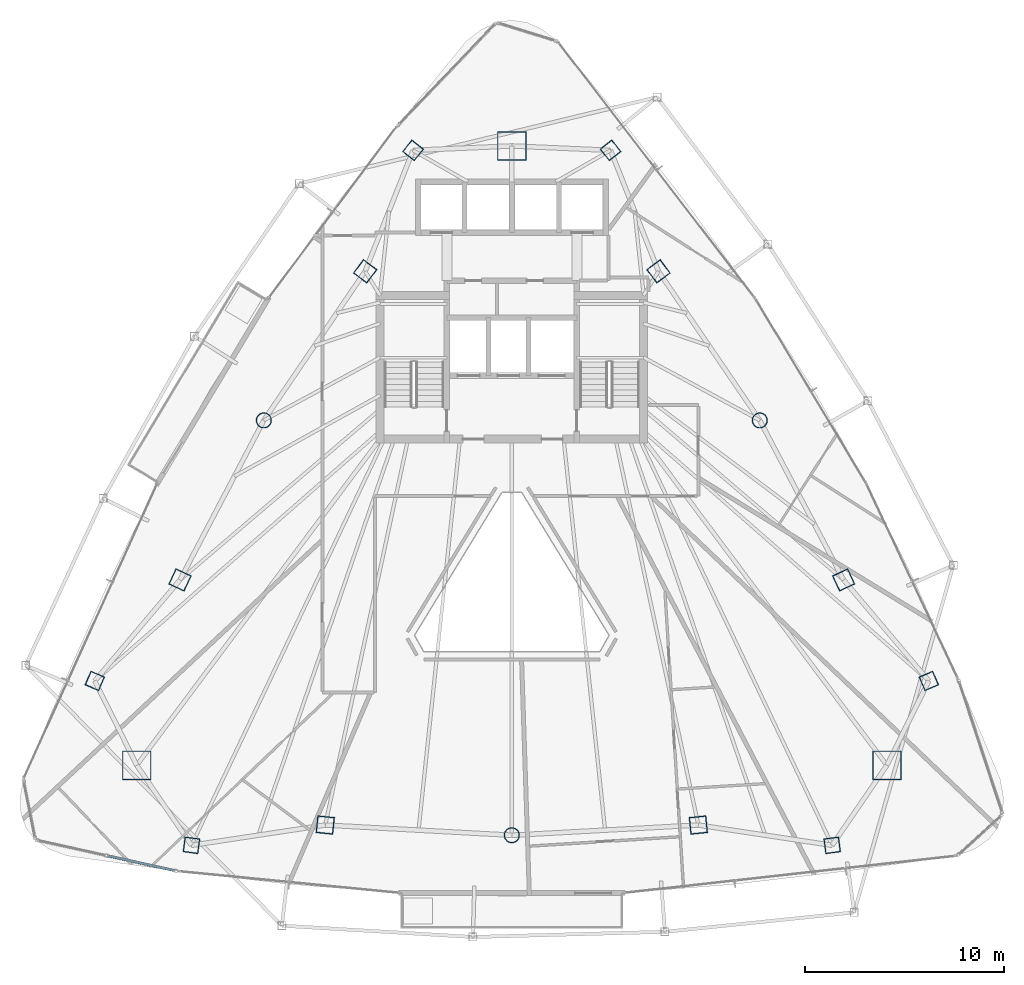
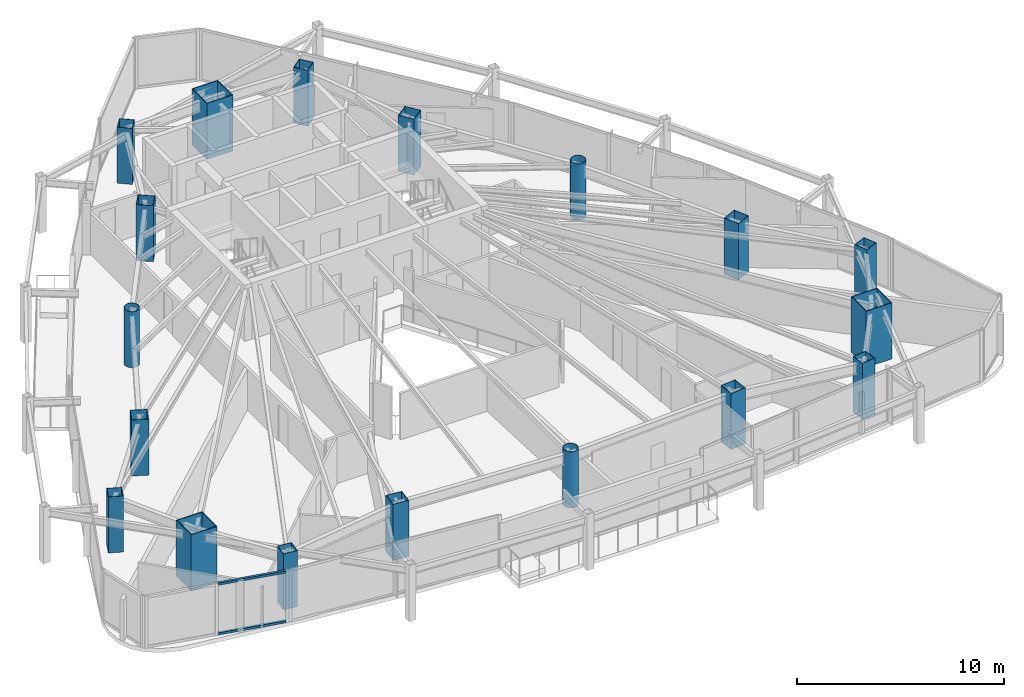
# One storey, part 1 of 29: 18 columns, 2 members, 1 element without a shape of its own.
"""IFC4 building model written with IfcOpenShell, lengths in metres."""

from ifc_helpers import new_model, si_unit, direction, frame, origin, origin_2d, place, context, subcontext, project, spatial, hollow_rectangle, hollow_circle, extrude, material, layer, layer_set, material_profile, profile_set, type_object, element, aggregate, save


model = new_model("IFC4")

# Units and contexts
model_context = context("Model", 3, precision=1e-05, world=origin(), true_north=direction((0.0, 1.0)))
body_context = subcontext(model_context, "Body", "Model", "MODEL_VIEW")
ifc_project = project(units=[si_unit("LENGTHUNIT", "METRE"), si_unit("AREAUNIT", "SQUARE_METRE"), si_unit("VOLUMEUNIT", "CUBIC_METRE"), si_unit("PLANEANGLEUNIT", "RADIAN"), si_unit("MASSUNIT", "GRAM", prefix="KILO")], contexts=[model_context])

# Site, building, storey
site_placement = place(None, origin())
site = spatial("IfcSite", under=ifc_project, at=site_placement, CompositionType="ELEMENT")
building_placement = place(site_placement, origin())
building = spatial("IfcBuilding", under=site, at=building_placement, Name="Orvanel Arch Residences", CompositionType="ELEMENT")
storey_placement = place(building_placement, frame((0.0, 0.0, 173.75)))
storey = spatial("IfcBuildingStorey", under=building, at=storey_placement, Name="L49", CompositionType="ELEMENT", Elevation=173.75)

# Columns
ifc_material_1 = material(Name="Structural steel AS/NZS 1163 C450L0 (Grade 450)", Category="steel")
ifc_material_profile_1 = material_profile(ifc_material_1, hollow_circle(Radius=0.381103515625, WallThickness=0.02197265625, at=origin_2d()), Name="CHS762x22")
ifc_profile_set_1 = profile_set([ifc_material_profile_1], Name="Structural steel AS/NZS 1163 C450L0 (Grade 450)")
column_type_1 = type_object("IfcColumnType", Name="CC-762", PredefinedType="COLUMN", material=ifc_profile_set_1)
for number, where, z_axis, x_axis, name in (
    (1, (20.569091796875, 27.64111328125, 0.0), (0.0, 0.0, 1.0), (1.0, 0.0, 0.0), "L49 High-Rise Tube Column 02"),
    (2, (33.0, 6.843994140625, 0.0), (0.0, 0.0, 1.0), (1.0, 0.0, 0.0), "L49 High-Rise Tube Column 05"),
    (3, (45.430908203125, 27.64111328125, 0.0), (0.0, 0.0, 1.0), (1.0, 0.0, 0.0), "L49 High-Rise Tube Column 08"),
):
    element("IfcColumn", number, at=place(storey_placement, frame(where, z_axis=z_axis, x_axis=x_axis)), inside=storey, type_object=column_type_1, Name=name, PredefinedType="COLUMN", context=body_context, shape_type="SweptSolid", body=[
        extrude(hollow_circle(Radius=0.381103515625, WallThickness=0.02197265625, at=origin_2d()), origin(), (0.0, 0.0, 1.0), 3.300048828125),
    ])
ifc_material_2 = material(Name="Structural steel AS/NZS 3678 Grade 450", Category="steel")
ifc_material_profile_2 = material_profile(ifc_material_2, hollow_rectangle(XDim=1.449951171875, YDim=1.449951171875, WallThickness=0.044921875, at=origin_2d()), Name="BOX1450x1450x45")
ifc_profile_set_2 = profile_set([ifc_material_profile_2], Name="Structural steel AS/NZS 3678 Grade 450")
column_type_2 = type_object("IfcColumnType", Name="MC-1450", PredefinedType="COLUMN", material=ifc_profile_set_2)
for number, where, z_axis, x_axis, name in (
    (4, (33.0, 41.39794921875, 0.0), (0.0, 0.0, 1.0), (1.0, 0.0, 0.0), "L49 Corner Mega-Column 1"),
    (5, (14.198974609375, 10.35107421875, 0.0), (0.0, 0.0, 1.0), (1.0, 0.0, 0.0), "L49 Corner Mega-Column 2"),
    (6, (51.801025390625, 10.35107421875, 0.0), (0.0, 0.0, 1.0), (1.0, 0.0, 0.0), "L49 Corner Mega-Column 3"),
):
    element("IfcColumn", number, at=place(storey_placement, frame(where, z_axis=z_axis, x_axis=x_axis)), inside=storey, type_object=column_type_2, Name=name, PredefinedType="COLUMN", context=body_context, shape_type="SweptSolid", body=[
        extrude(hollow_rectangle(XDim=1.449951171875, YDim=1.449951171875, WallThickness=0.044921875, at=origin_2d()), origin(), (0.0, 0.0, 1.0), 3.300048828125),
    ])
ifc_material_3 = material(Name="Structural steel AS/NZS 3678 Grade 350", Category="steel")
ifc_material_profile_3 = material_profile(ifc_material_3, hollow_rectangle(XDim=0.75, YDim=0.75, WallThickness=0.02490234375, at=origin_2d()), Name="BOX750x750x25")
ifc_profile_set_3 = profile_set([ifc_material_profile_3], Name="Structural steel AS/NZS 3678 Grade 350")
column_type_3 = type_object("IfcColumnType", Name="TC-750", PredefinedType="COLUMN", material=ifc_profile_set_3)
for number, where, z_axis, x_axis, name in (
    (7, (28.050048828125, 41.177978515625, 0.0), (0.0, 0.0, 1.0), (0.623879596709, 0.781520472419, 0.0), "L49 Mid-Rise Buttress Tube Column 01"),
    (8, (12.094970703125, 14.580078125, 0.0), (0.0, 0.0, 1.0), (0.397147890635, 0.917754625684, 0.0), "L49 Mid-Rise Buttress Tube Column 02"),
    (9, (16.94091796875, 6.339111328125, 0.0), (0.0, 0.0, 1.0), (-0.99189444259, 0.127064608601, 0.0), "L49 Mid-Rise Buttress Tube Column 03"),
    (10, (49.05908203125, 6.339111328125, 0.0), (0.0, 0.0, 1.0), (0.99189444259, 0.127064608601, 0.0), "L49 Mid-Rise Buttress Tube Column 04"),
    (11, (53.905029296875, 14.580078125, 0.0), (0.0, 0.0, 1.0), (-0.397147890635, 0.917754625684, 0.0), "L49 Mid-Rise Buttress Tube Column 05"),
    (12, (37.949951171875, 41.177978515625, 0.0), (0.0, 0.0, 1.0), (-0.623879596709, 0.781520472419, 0.0), "L49 Mid-Rise Buttress Tube Column 06"),
):
    element("IfcColumn", number, at=place(storey_placement, frame(where, z_axis=z_axis, x_axis=x_axis)), inside=storey, type_object=column_type_3, Name=name, PredefinedType="COLUMN", context=body_context, shape_type="SweptSolid", body=[
        extrude(hollow_rectangle(XDim=0.75, YDim=0.75, WallThickness=0.02490234375, at=origin_2d()), origin(), (0.0, 0.0, 1.0), 3.300048828125),
    ])
ifc_material_profile_4 = material_profile(ifc_material_3, hollow_rectangle(XDim=0.85009765625, YDim=0.85009765625, WallThickness=0.028076171875, at=origin_2d()), Name="BOX850x850x28")
ifc_profile_set_4 = profile_set([ifc_material_profile_4], Name="Structural steel AS/NZS 3678 Grade 350")
column_type_4 = type_object("IfcColumnType", Name="TC-850", PredefinedType="COLUMN", material=ifc_profile_set_4)
for number, where, z_axis, x_axis, name in (
    (13, (25.64794921875, 35.113037109375, 0.0), (0.0, 0.0, 1.0), (0.600420225326, 0.799684658487, 0.0), "L49 High-Rise Tube Column 01"),
    (14, (16.366943359375, 19.64208984375, 0.0), (0.0, 0.0, 1.0), (0.422618261741, 0.906307787037, 0.0), "L49 High-Rise Tube Column 03"),
    (15, (23.64892578125, 7.35498046875, 0.0), (0.0, 0.0, 1.0), (-0.994880708829, 0.101056297183, 0.0), "L49 High-Rise Tube Column 04"),
    (16, (42.35107421875, 7.35498046875, 0.0), (0.0, 0.0, 1.0), (0.994880708829, 0.101056297183, 0.0), "L49 High-Rise Tube Column 06"),
    (17, (49.633056640625, 19.64208984375, 0.0), (0.0, 0.0, 1.0), (-0.422618261741, 0.906307787037, 0.0), "L49 High-Rise Tube Column 07"),
    (18, (40.35205078125, 35.113037109375, 0.0), (0.0, 0.0, 1.0), (-0.600420225326, 0.799684658487, 0.0), "L49 High-Rise Tube Column 09"),
):
    element("IfcColumn", number, at=place(storey_placement, frame(where, z_axis=z_axis, x_axis=x_axis)), inside=storey, type_object=column_type_4, Name=name, PredefinedType="COLUMN", context=body_context, shape_type="SweptSolid", body=[
        extrude(hollow_rectangle(XDim=0.85009765625, YDim=0.85009765625, WallThickness=0.028076171875, at=origin_2d()), origin(), (0.0, 0.0, 1.0), 3.300048828125),
    ])

# Curtain wall, members
ifc_material_4 = material(Name="Bronze-anodised aluminium AA6063-T6", Category="aluminium")
ifc_layer = layer(ifc_material_4, 0.18994140625)
ifc_layer_set = layer_set([ifc_layer], Name="Bronze-anodised aluminium AA6063-T6")
curtain_wall_type = type_object("IfcCurtainWallType", Name="CW5-CRN-SYS", PredefinedType="NOTDEFINED", material=ifc_layer_set)
curtain_wall_placement = place(storey_placement, origin())
curtain_wall = element("IfcCurtainWall", 19, at=curtain_wall_placement, inside=storey, type_object=curtain_wall_type, Name="L49 CW5-CRN-SYS Unitised Curtain Wall", PredefinedType="NOTDEFINED")
ifc_material_profile_5 = material_profile(ifc_material_4, hollow_rectangle(XDim=0.1298828125, YDim=0.1298828125, WallThickness=0.00439453125, at=origin_2d()), Name="ALU130x130x4.5")
ifc_profile_set_5 = profile_set([ifc_material_profile_5], Name="Bronze-anodised aluminium AA6063-T6")
member_type = type_object("IfcMemberType", Name="TRN-130x130", PredefinedType="USERDEFINED", material=ifc_profile_set_5)
member_1_placement = place(storey_placement, frame((12.76416015625, 5.809326171875, 0.06494140625), z_axis=(0.97655074982, -0.215287326674, 0.0), x_axis=(0.215287326674, 0.97655074982, 0.0)))
member_1 = element("IfcMember", 20, at=member_1_placement, type_object=member_type, Name="CW-S5 transom 2.1", ObjectType="TRANSOM", PredefinedType="USERDEFINED", context=body_context, shape_type="SweptSolid", body=[
    extrude(hollow_rectangle(XDim=0.1298828125, YDim=0.1298828125, WallThickness=0.00439453125, at=origin_2d()), origin(), (0.0, 0.0, 1.0), 3.41455078125),
])
member_2_placement = place(storey_placement, frame((12.76416015625, 5.809326171875, 2.9951171875), z_axis=(0.97655074982, -0.215287326674, 0.0), x_axis=(0.215287326674, 0.97655074982, 0.0)))
member_2 = element("IfcMember", 21, at=member_2_placement, type_object=member_type, Name="CW-S5 transom 2.2", ObjectType="TRANSOM", PredefinedType="USERDEFINED", context=body_context, shape_type="SweptSolid", body=[
    extrude(hollow_rectangle(XDim=0.1298828125, YDim=0.1298828125, WallThickness=0.00439453125, at=origin_2d()), origin(), (0.0, 0.0, 1.0), 3.41455078125),
])
aggregate(curtain_wall, [member_1, member_2])

save(model, "model.ifc")
